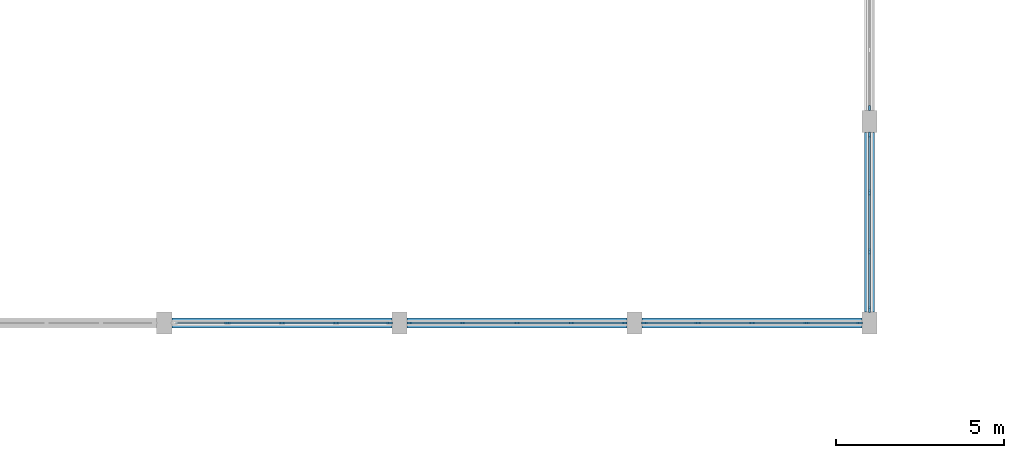
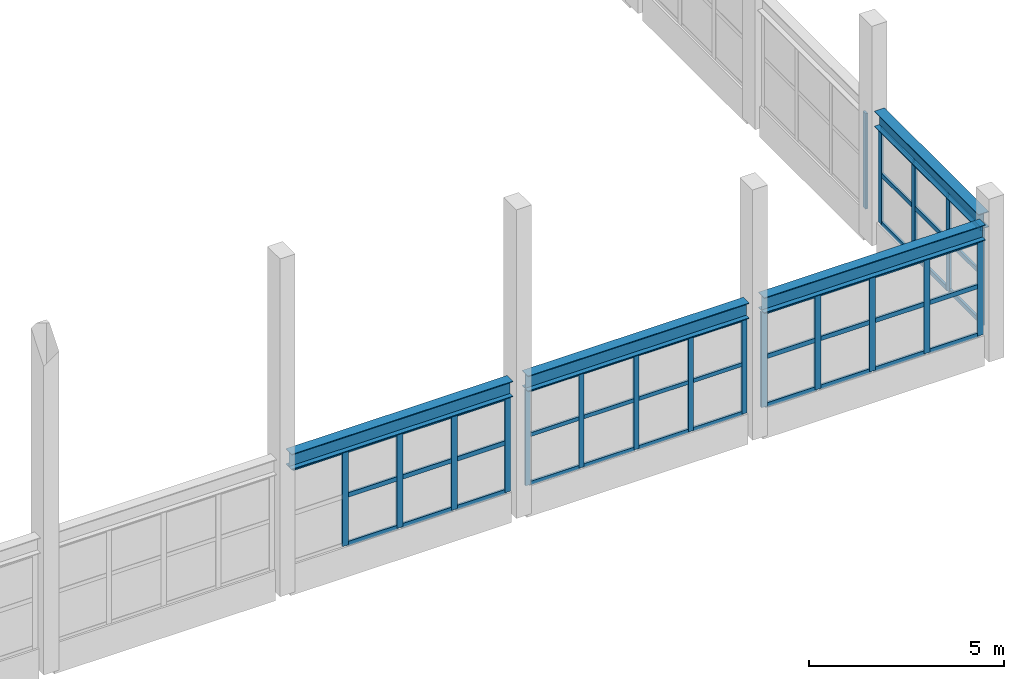
# One storey, part 29 of 89: 62 members, 4 beams, 5 elements without a shape of their own.
"""IFC4 building model written with IfcOpenShell, lengths in metres."""

from ifc_helpers import new_model, si_unit, direction, frame, origin, origin_2d, place, context, subcontext, project, spatial, rectangle, i_section, extrude, material, layer, layer_set, material_profile, profile_set, type_object, element, aggregate, save


model = new_model("IFC4")

# Units and contexts
model_context = context("Model", 3, precision=1e-05, world=origin(), true_north=direction((0.0, 1.0)))
body_context = subcontext(model_context, "Body", "Model", "MODEL_VIEW")
ifc_project = project(units=[si_unit("LENGTHUNIT", "METRE"), si_unit("AREAUNIT", "SQUARE_METRE"), si_unit("VOLUMEUNIT", "CUBIC_METRE"), si_unit("PLANEANGLEUNIT", "RADIAN"), si_unit("MASSUNIT", "GRAM", prefix="KILO")], contexts=[model_context])

# Site, building, storey
site_placement = place(None, origin())
site = spatial("IfcSite", under=ifc_project, at=site_placement, CompositionType="ELEMENT")
building_placement = place(site_placement, origin())
building = spatial("IfcBuilding", under=site, at=building_placement, Name="Tonlespit Floodbar School", CompositionType="ELEMENT")
storey_placement = place(building_placement, frame((0.0, 0.0, 4.5)))
storey = spatial("IfcBuildingStorey", under=building, at=storey_placement, Name="L01", CompositionType="ELEMENT", Elevation=4.5)

# Curtain wall, members
ifc_material_1 = material(Name="Anodised Aluminium", Category="aluminium")
ifc_layer_1 = layer(ifc_material_1, 0.159912109375)
ifc_layer_set_1 = layer_set([ifc_layer_1], Name="Anodised Aluminium")
curtain_wall_type_1 = type_object("IfcCurtainWallType", Name="CurtainWall_6450x3000", PredefinedType="NOTDEFINED", material=ifc_layer_set_1)
curtain_wall_1_placement = place(storey_placement, origin())
curtain_wall_1 = element("IfcCurtainWall", 1, at=curtain_wall_1_placement, inside=storey, type_object=curtain_wall_type_1, Name="L01 unitised curtain wall 0312", PredefinedType="NOTDEFINED")
ifc_material_profile_1 = material_profile(ifc_material_1, rectangle(XDim=0.06494140625, YDim=0.14990234375, at=origin_2d()), Name="ALU M65x150")
ifc_profile_set_1 = profile_set([ifc_material_profile_1], Name="Anodised Aluminium")
member_type_1 = type_object("IfcMemberType", Name="CW_Mullion_65x150", PredefinedType="MULLION", material=ifc_profile_set_1)
member_1_placement = place(storey_placement, frame((168.702392578125, 20.0, 0.68994140625), z_axis=(0.0, 0.0, 1.0), x_axis=(0.0, -1.0, 0.0)))
member_1 = element("IfcMember", 2, at=member_1_placement, type_object=member_type_1, Name="CW-49 mullion 1", PredefinedType="MULLION", context=body_context, shape_type="SweptSolid", body=[
    extrude(rectangle(XDim=0.06494140625, YDim=0.14990234375, at=origin_2d()), origin(), (0.0, 0.0, 1.0), 2.989990234375),
])
member_2_placement = place(storey_placement, frame((167.117431640625, 20.0, 0.68994140625), z_axis=(0.0, 0.0, 1.0), x_axis=(0.0, -1.0, 0.0)))
member_2 = element("IfcMember", 3, at=member_2_placement, type_object=member_type_1, Name="CW-49 mullion 2", PredefinedType="MULLION", context=body_context, shape_type="SweptSolid", body=[
    extrude(rectangle(XDim=0.06494140625, YDim=0.14990234375, at=origin_2d()), origin(), (0.0, 0.0, 1.0), 2.989990234375),
])
member_3_placement = place(storey_placement, frame((165.5, 20.0, 0.68994140625), z_axis=(0.0, 0.0, 1.0), x_axis=(0.0, -1.0, 0.0)))
member_3 = element("IfcMember", 4, at=member_3_placement, type_object=member_type_1, Name="CW-49 mullion 3", PredefinedType="MULLION", context=body_context, shape_type="SweptSolid", body=[
    extrude(rectangle(XDim=0.06494140625, YDim=0.14990234375, at=origin_2d()), origin(), (0.0, 0.0, 1.0), 2.989990234375),
])
member_4_placement = place(storey_placement, frame((163.882568359375, 20.0, 0.68994140625), z_axis=(0.0, 0.0, 1.0), x_axis=(0.0, -1.0, 0.0)))
member_4 = element("IfcMember", 5, at=member_4_placement, type_object=member_type_1, Name="CW-49 mullion 4", PredefinedType="MULLION", context=body_context, shape_type="SweptSolid", body=[
    extrude(rectangle(XDim=0.06494140625, YDim=0.14990234375, at=origin_2d()), origin(), (0.0, 0.0, 1.0), 2.989990234375),
])
member_5_placement = place(storey_placement, frame((162.297607421875, 20.0, 0.68994140625), z_axis=(0.0, 0.0, 1.0), x_axis=(0.0, -1.0, 0.0)))
member_5 = element("IfcMember", 6, at=member_5_placement, type_object=member_type_1, Name="CW-49 mullion 5", PredefinedType="MULLION", context=body_context, shape_type="SweptSolid", body=[
    extrude(rectangle(XDim=0.06494140625, YDim=0.14990234375, at=origin_2d()), origin(), (0.0, 0.0, 1.0), 2.989990234375),
])

# Curtain wall, member
ifc_layer_2 = layer(ifc_material_1, 0.159912109375)
ifc_layer_set_2 = layer_set([ifc_layer_2], Name="Anodised Aluminium")
curtain_wall_type_2 = type_object("IfcCurtainWallType", Name="CurtainWall_5250x3000", PredefinedType="NOTDEFINED", material=ifc_layer_set_2)
curtain_wall_2_placement = place(storey_placement, origin())
curtain_wall_2 = element("IfcCurtainWall", 7, at=curtain_wall_2_placement, inside=storey, type_object=curtain_wall_type_2, Name="L01 unitised curtain wall 0328", PredefinedType="NOTDEFINED")
member_6_placement = place(storey_placement, frame((176.0, 26.3974609375, 0.68994140625), z_axis=(0.0, 0.0, 1.0), x_axis=(1.0, 0.0, 0.0)))
member_6 = element("IfcMember", 8, at=member_6_placement, type_object=member_type_1, Name="CW-50 mullion 4", PredefinedType="MULLION", context=body_context, shape_type="SweptSolid", body=[
    extrude(rectangle(XDim=0.06494140625, YDim=0.14990234375, at=origin_2d()), origin(), (0.0, 0.0, 1.0), 2.989990234375),
])
aggregate(curtain_wall_2, [member_6])

# Curtain wall, members
curtain_wall_3_placement = place(storey_placement, origin())
curtain_wall_3 = element("IfcCurtainWall", 9, at=curtain_wall_3_placement, inside=storey, type_object=curtain_wall_type_1, Name="L01 unitised curtain wall 0311", PredefinedType="NOTDEFINED")
ifc_material_profile_2 = material_profile(ifc_material_1, rectangle(XDim=0.06494140625, YDim=0.179931640625, at=origin_2d()), Name="ALU M65x180")
ifc_profile_set_2 = profile_set([ifc_material_profile_2], Name="Anodised Aluminium")
member_type_2 = type_object("IfcMemberType", Name="CW_Mullion_65x180", PredefinedType="MULLION", material=ifc_profile_set_2)
member_7_placement = place(storey_placement, frame((175.702392578125, 20.0, 0.68994140625), z_axis=(0.0, 0.0, 1.0), x_axis=(0.0, -1.0, 0.0)))
member_7 = element("IfcMember", 10, at=member_7_placement, type_object=member_type_2, Name="CW-49 mullion 1", PredefinedType="MULLION", context=body_context, shape_type="SweptSolid", body=[
    extrude(rectangle(XDim=0.06494140625, YDim=0.179931640625, at=origin_2d()), origin(), (0.0, 0.0, 1.0), 2.989990234375),
])
member_8_placement = place(storey_placement, frame((174.117431640625, 20.0, 0.68994140625), z_axis=(0.0, 0.0, 1.0), x_axis=(0.0, -1.0, 0.0)))
member_8 = element("IfcMember", 11, at=member_8_placement, type_object=member_type_2, Name="CW-49 mullion 2", PredefinedType="MULLION", context=body_context, shape_type="SweptSolid", body=[
    extrude(rectangle(XDim=0.06494140625, YDim=0.179931640625, at=origin_2d()), origin(), (0.0, 0.0, 1.0), 2.989990234375),
])
member_9_placement = place(storey_placement, frame((172.5, 20.0, 0.68994140625), z_axis=(0.0, 0.0, 1.0), x_axis=(0.0, -1.0, 0.0)))
member_9 = element("IfcMember", 12, at=member_9_placement, type_object=member_type_2, Name="CW-49 mullion 3", PredefinedType="MULLION", context=body_context, shape_type="SweptSolid", body=[
    extrude(rectangle(XDim=0.06494140625, YDim=0.179931640625, at=origin_2d()), origin(), (0.0, 0.0, 1.0), 2.989990234375),
])
member_10_placement = place(storey_placement, frame((170.882568359375, 20.0, 0.68994140625), z_axis=(0.0, 0.0, 1.0), x_axis=(0.0, -1.0, 0.0)))
member_10 = element("IfcMember", 13, at=member_10_placement, type_object=member_type_2, Name="CW-49 mullion 4", PredefinedType="MULLION", context=body_context, shape_type="SweptSolid", body=[
    extrude(rectangle(XDim=0.06494140625, YDim=0.179931640625, at=origin_2d()), origin(), (0.0, 0.0, 1.0), 2.989990234375),
])
member_11_placement = place(storey_placement, frame((169.297607421875, 20.0, 0.68994140625), z_axis=(0.0, 0.0, 1.0), x_axis=(0.0, -1.0, 0.0)))
member_11 = element("IfcMember", 14, at=member_11_placement, type_object=member_type_2, Name="CW-49 mullion 5", PredefinedType="MULLION", context=body_context, shape_type="SweptSolid", body=[
    extrude(rectangle(XDim=0.06494140625, YDim=0.179931640625, at=origin_2d()), origin(), (0.0, 0.0, 1.0), 2.989990234375),
])

curtain_wall_4_placement = place(storey_placement, origin())
curtain_wall_4 = element("IfcCurtainWall", 15, at=curtain_wall_4_placement, inside=storey, type_object=curtain_wall_type_1, Name="L01 unitised curtain wall 0313", PredefinedType="NOTDEFINED")
member_12_placement = place(storey_placement, frame((161.702392578125, 20.0, 0.68994140625), z_axis=(0.0, 0.0, 1.0), x_axis=(0.0, -1.0, 0.0)))
member_12 = element("IfcMember", 16, at=member_12_placement, type_object=member_type_2, Name="CW-49 mullion 1", PredefinedType="MULLION", context=body_context, shape_type="SweptSolid", body=[
    extrude(rectangle(XDim=0.06494140625, YDim=0.179931640625, at=origin_2d()), origin(), (0.0, 0.0, 1.0), 2.989990234375),
])
member_13_placement = place(storey_placement, frame((160.117431640625, 20.0, 0.68994140625), z_axis=(0.0, 0.0, 1.0), x_axis=(0.0, -1.0, 0.0)))
member_13 = element("IfcMember", 17, at=member_13_placement, type_object=member_type_2, Name="CW-49 mullion 2", PredefinedType="MULLION", context=body_context, shape_type="SweptSolid", body=[
    extrude(rectangle(XDim=0.06494140625, YDim=0.179931640625, at=origin_2d()), origin(), (0.0, 0.0, 1.0), 2.989990234375),
])
member_14_placement = place(storey_placement, frame((158.5, 20.0, 0.68994140625), z_axis=(0.0, 0.0, 1.0), x_axis=(0.0, -1.0, 0.0)))
member_14 = element("IfcMember", 18, at=member_14_placement, type_object=member_type_2, Name="CW-49 mullion 3", PredefinedType="MULLION", context=body_context, shape_type="SweptSolid", body=[
    extrude(rectangle(XDim=0.06494140625, YDim=0.179931640625, at=origin_2d()), origin(), (0.0, 0.0, 1.0), 2.989990234375),
])
member_15_placement = place(storey_placement, frame((156.882568359375, 20.0, 0.68994140625), z_axis=(0.0, 0.0, 1.0), x_axis=(0.0, -1.0, 0.0)))
member_15 = element("IfcMember", 19, at=member_15_placement, type_object=member_type_2, Name="CW-49 mullion 4", PredefinedType="MULLION", context=body_context, shape_type="SweptSolid", body=[
    extrude(rectangle(XDim=0.06494140625, YDim=0.179931640625, at=origin_2d()), origin(), (0.0, 0.0, 1.0), 2.989990234375),
])

curtain_wall_5_placement = place(storey_placement, origin())
curtain_wall_5 = element("IfcCurtainWall", 20, at=curtain_wall_5_placement, inside=storey, type_object=curtain_wall_type_2, Name="L01 unitised curtain wall 0329", PredefinedType="NOTDEFINED")
member_16_placement = place(storey_placement, frame((176.0, 25.6025390625, 0.68994140625), z_axis=(0.0, 0.0, 1.0), x_axis=(1.0, 0.0, 0.0)))
member_16 = element("IfcMember", 21, at=member_16_placement, type_object=member_type_2, Name="CW-50 mullion 1", PredefinedType="MULLION", context=body_context, shape_type="SweptSolid", body=[
    extrude(rectangle(XDim=0.06494140625, YDim=0.179931640625, at=origin_2d()), origin(), (0.0, 0.0, 1.0), 2.989990234375),
])
member_17_placement = place(storey_placement, frame((176.0, 23.87841796875, 0.68994140625), z_axis=(0.0, 0.0, 1.0), x_axis=(1.0, 0.0, 0.0)))
member_17 = element("IfcMember", 22, at=member_17_placement, type_object=member_type_2, Name="CW-50 mullion 2", PredefinedType="MULLION", context=body_context, shape_type="SweptSolid", body=[
    extrude(rectangle(XDim=0.06494140625, YDim=0.179931640625, at=origin_2d()), origin(), (0.0, 0.0, 1.0), 2.989990234375),
])
member_18_placement = place(storey_placement, frame((176.0, 22.12158203125, 0.68994140625), z_axis=(0.0, 0.0, 1.0), x_axis=(1.0, 0.0, 0.0)))
member_18 = element("IfcMember", 23, at=member_18_placement, type_object=member_type_2, Name="CW-50 mullion 3", PredefinedType="MULLION", context=body_context, shape_type="SweptSolid", body=[
    extrude(rectangle(XDim=0.06494140625, YDim=0.179931640625, at=origin_2d()), origin(), (0.0, 0.0, 1.0), 2.989990234375),
])
member_19_placement = place(storey_placement, frame((176.0, 20.3974609375, 0.68994140625), z_axis=(0.0, 0.0, 1.0), x_axis=(1.0, 0.0, 0.0)))
member_19 = element("IfcMember", 24, at=member_19_placement, type_object=member_type_2, Name="CW-50 mullion 4", PredefinedType="MULLION", context=body_context, shape_type="SweptSolid", body=[
    extrude(rectangle(XDim=0.06494140625, YDim=0.179931640625, at=origin_2d()), origin(), (0.0, 0.0, 1.0), 2.989990234375),
])

# Member
ifc_material_profile_3 = material_profile(ifc_material_1, rectangle(XDim=0.06494140625, YDim=0.1201171875, at=origin_2d()), Name="ALU T65x120")
ifc_profile_set_3 = profile_set([ifc_material_profile_3], Name="Anodised Aluminium")
member_type_3 = type_object("IfcMemberType", Name="CW_Transom_65x120", PredefinedType="USERDEFINED", material=ifc_profile_set_3)
member_20_placement = place(storey_placement, frame((168.669921875, 20.0, 0.722412109375), z_axis=(-1.0, 0.0, 0.0), x_axis=(0.0, -1.0, 0.0)))
member_20 = element("IfcMember", 25, at=member_20_placement, type_object=member_type_3, Name="CW-49 transom 1.1", ObjectType="TRANSOM", PredefinedType="USERDEFINED", context=body_context, shape_type="SweptSolid", body=[
    extrude(rectangle(XDim=0.06494140625, YDim=0.1201171875, at=origin_2d()), origin(), (0.0, 0.0, 1.0), 1.52001953125),
])

member_21_placement = place(storey_placement, frame((168.669921875, 20.0, 2.244873046875), z_axis=(-1.0, 0.0, 0.0), x_axis=(0.0, -1.0, 0.0)))
member_21 = element("IfcMember", 26, at=member_21_placement, type_object=member_type_3, Name="CW-49 transom 1.2", ObjectType="TRANSOM", PredefinedType="USERDEFINED", context=body_context, shape_type="SweptSolid", body=[
    extrude(rectangle(XDim=0.06494140625, YDim=0.1201171875, at=origin_2d()), origin(), (0.0, 0.0, 1.0), 1.52001953125),
])

member_22_placement = place(storey_placement, frame((168.669921875, 20.0, 3.6474609375), z_axis=(-1.0, 0.0, 0.0), x_axis=(0.0, -1.0, 0.0)))
member_22 = element("IfcMember", 27, at=member_22_placement, type_object=member_type_3, Name="CW-49 transom 1.3", ObjectType="TRANSOM", PredefinedType="USERDEFINED", context=body_context, shape_type="SweptSolid", body=[
    extrude(rectangle(XDim=0.06494140625, YDim=0.1201171875, at=origin_2d()), origin(), (0.0, 0.0, 1.0), 1.52001953125),
])

member_23_placement = place(storey_placement, frame((167.0849609375, 20.0, 0.722412109375), z_axis=(-1.0, 0.0, 0.0), x_axis=(0.0, -1.0, 0.0)))
member_23 = element("IfcMember", 28, at=member_23_placement, type_object=member_type_3, Name="CW-49 transom 2.1", ObjectType="TRANSOM", PredefinedType="USERDEFINED", context=body_context, shape_type="SweptSolid", body=[
    extrude(rectangle(XDim=0.06494140625, YDim=0.1201171875, at=origin_2d()), origin(), (0.0, 0.0, 1.0), 1.552490234375),
])

member_24_placement = place(storey_placement, frame((167.0849609375, 20.0, 2.244873046875), z_axis=(-1.0, 0.0, 0.0), x_axis=(0.0, -1.0, 0.0)))
member_24 = element("IfcMember", 29, at=member_24_placement, type_object=member_type_3, Name="CW-49 transom 2.2", ObjectType="TRANSOM", PredefinedType="USERDEFINED", context=body_context, shape_type="SweptSolid", body=[
    extrude(rectangle(XDim=0.06494140625, YDim=0.1201171875, at=origin_2d()), origin(), (0.0, 0.0, 1.0), 1.552490234375),
])

member_25_placement = place(storey_placement, frame((167.0849609375, 20.0, 3.6474609375), z_axis=(-1.0, 0.0, 0.0), x_axis=(0.0, -1.0, 0.0)))
member_25 = element("IfcMember", 30, at=member_25_placement, type_object=member_type_3, Name="CW-49 transom 2.3", ObjectType="TRANSOM", PredefinedType="USERDEFINED", context=body_context, shape_type="SweptSolid", body=[
    extrude(rectangle(XDim=0.06494140625, YDim=0.1201171875, at=origin_2d()), origin(), (0.0, 0.0, 1.0), 1.552490234375),
])

member_26_placement = place(storey_placement, frame((165.467529296875, 20.0, 0.722412109375), z_axis=(-1.0, 0.0, 0.0), x_axis=(0.0, -1.0, 0.0)))
member_26 = element("IfcMember", 31, at=member_26_placement, type_object=member_type_3, Name="CW-49 transom 3.1", ObjectType="TRANSOM", PredefinedType="USERDEFINED", context=body_context, shape_type="SweptSolid", body=[
    extrude(rectangle(XDim=0.06494140625, YDim=0.1201171875, at=origin_2d()), origin(), (0.0, 0.0, 1.0), 1.552490234375),
])

member_27_placement = place(storey_placement, frame((165.467529296875, 20.0, 2.244873046875), z_axis=(-1.0, 0.0, 0.0), x_axis=(0.0, -1.0, 0.0)))
member_27 = element("IfcMember", 32, at=member_27_placement, type_object=member_type_3, Name="CW-49 transom 3.2", ObjectType="TRANSOM", PredefinedType="USERDEFINED", context=body_context, shape_type="SweptSolid", body=[
    extrude(rectangle(XDim=0.06494140625, YDim=0.1201171875, at=origin_2d()), origin(), (0.0, 0.0, 1.0), 1.552490234375),
])

member_28_placement = place(storey_placement, frame((165.467529296875, 20.0, 3.6474609375), z_axis=(-1.0, 0.0, 0.0), x_axis=(0.0, -1.0, 0.0)))
member_28 = element("IfcMember", 33, at=member_28_placement, type_object=member_type_3, Name="CW-49 transom 3.3", ObjectType="TRANSOM", PredefinedType="USERDEFINED", context=body_context, shape_type="SweptSolid", body=[
    extrude(rectangle(XDim=0.06494140625, YDim=0.1201171875, at=origin_2d()), origin(), (0.0, 0.0, 1.0), 1.552490234375),
])

member_29_placement = place(storey_placement, frame((163.85009765625, 20.0, 0.722412109375), z_axis=(-1.0, 0.0, 0.0), x_axis=(0.0, -1.0, 0.0)))
member_29 = element("IfcMember", 34, at=member_29_placement, type_object=member_type_3, Name="CW-49 transom 4.1", ObjectType="TRANSOM", PredefinedType="USERDEFINED", context=body_context, shape_type="SweptSolid", body=[
    extrude(rectangle(XDim=0.06494140625, YDim=0.1201171875, at=origin_2d()), origin(), (0.0, 0.0, 1.0), 1.52001953125),
])

member_30_placement = place(storey_placement, frame((163.85009765625, 20.0, 2.244873046875), z_axis=(-1.0, 0.0, 0.0), x_axis=(0.0, -1.0, 0.0)))
member_30 = element("IfcMember", 35, at=member_30_placement, type_object=member_type_3, Name="CW-49 transom 4.2", ObjectType="TRANSOM", PredefinedType="USERDEFINED", context=body_context, shape_type="SweptSolid", body=[
    extrude(rectangle(XDim=0.06494140625, YDim=0.1201171875, at=origin_2d()), origin(), (0.0, 0.0, 1.0), 1.52001953125),
])

member_31_placement = place(storey_placement, frame((163.85009765625, 20.0, 3.6474609375), z_axis=(-1.0, 0.0, 0.0), x_axis=(0.0, -1.0, 0.0)))
member_31 = element("IfcMember", 36, at=member_31_placement, type_object=member_type_3, Name="CW-49 transom 4.3", ObjectType="TRANSOM", PredefinedType="USERDEFINED", context=body_context, shape_type="SweptSolid", body=[
    extrude(rectangle(XDim=0.06494140625, YDim=0.1201171875, at=origin_2d()), origin(), (0.0, 0.0, 1.0), 1.52001953125),
])

aggregate(curtain_wall_1, [member_1, member_2, member_3, member_4, member_5, member_20, member_21, member_22, member_23, member_24, member_25, member_26, member_27, member_28, member_29, member_30, member_31])

ifc_material_profile_4 = material_profile(ifc_material_1, rectangle(XDim=0.06494140625, YDim=0.139892578125, at=origin_2d()), Name="ALU T65x140")
ifc_profile_set_4 = profile_set([ifc_material_profile_4], Name="Anodised Aluminium")
member_type_4 = type_object("IfcMemberType", Name="CW_Transom_65x140", PredefinedType="USERDEFINED", material=ifc_profile_set_4)
member_32_placement = place(storey_placement, frame((175.669921875, 20.0, 0.722412109375), z_axis=(-1.0, 0.0, 0.0), x_axis=(0.0, -1.0, 0.0)))
member_32 = element("IfcMember", 37, at=member_32_placement, type_object=member_type_4, Name="CW-49 transom 1.1", ObjectType="TRANSOM", PredefinedType="USERDEFINED", context=body_context, shape_type="SweptSolid", body=[
    extrude(rectangle(XDim=0.06494140625, YDim=0.139892578125, at=origin_2d()), origin(), (0.0, 0.0, 1.0), 1.52001953125),
])

member_33_placement = place(storey_placement, frame((175.669921875, 20.0, 2.244873046875), z_axis=(-1.0, 0.0, 0.0), x_axis=(0.0, -1.0, 0.0)))
member_33 = element("IfcMember", 38, at=member_33_placement, type_object=member_type_4, Name="CW-49 transom 1.2", ObjectType="TRANSOM", PredefinedType="USERDEFINED", context=body_context, shape_type="SweptSolid", body=[
    extrude(rectangle(XDim=0.06494140625, YDim=0.139892578125, at=origin_2d()), origin(), (0.0, 0.0, 1.0), 1.52001953125),
])

member_34_placement = place(storey_placement, frame((175.669921875, 20.0, 3.6474609375), z_axis=(-1.0, 0.0, 0.0), x_axis=(0.0, -1.0, 0.0)))
member_34 = element("IfcMember", 39, at=member_34_placement, type_object=member_type_4, Name="CW-49 transom 1.3", ObjectType="TRANSOM", PredefinedType="USERDEFINED", context=body_context, shape_type="SweptSolid", body=[
    extrude(rectangle(XDim=0.06494140625, YDim=0.139892578125, at=origin_2d()), origin(), (0.0, 0.0, 1.0), 1.52001953125),
])

member_35_placement = place(storey_placement, frame((174.0849609375, 20.0, 0.722412109375), z_axis=(-1.0, 0.0, 0.0), x_axis=(0.0, -1.0, 0.0)))
member_35 = element("IfcMember", 40, at=member_35_placement, type_object=member_type_4, Name="CW-49 transom 2.1", ObjectType="TRANSOM", PredefinedType="USERDEFINED", context=body_context, shape_type="SweptSolid", body=[
    extrude(rectangle(XDim=0.06494140625, YDim=0.139892578125, at=origin_2d()), origin(), (0.0, 0.0, 1.0), 1.552490234375),
])

member_36_placement = place(storey_placement, frame((174.0849609375, 20.0, 2.244873046875), z_axis=(-1.0, 0.0, 0.0), x_axis=(0.0, -1.0, 0.0)))
member_36 = element("IfcMember", 41, at=member_36_placement, type_object=member_type_4, Name="CW-49 transom 2.2", ObjectType="TRANSOM", PredefinedType="USERDEFINED", context=body_context, shape_type="SweptSolid", body=[
    extrude(rectangle(XDim=0.06494140625, YDim=0.139892578125, at=origin_2d()), origin(), (0.0, 0.0, 1.0), 1.552490234375),
])

member_37_placement = place(storey_placement, frame((174.0849609375, 20.0, 3.6474609375), z_axis=(-1.0, 0.0, 0.0), x_axis=(0.0, -1.0, 0.0)))
member_37 = element("IfcMember", 42, at=member_37_placement, type_object=member_type_4, Name="CW-49 transom 2.3", ObjectType="TRANSOM", PredefinedType="USERDEFINED", context=body_context, shape_type="SweptSolid", body=[
    extrude(rectangle(XDim=0.06494140625, YDim=0.139892578125, at=origin_2d()), origin(), (0.0, 0.0, 1.0), 1.552490234375),
])

member_38_placement = place(storey_placement, frame((172.467529296875, 20.0, 0.722412109375), z_axis=(-1.0, 0.0, 0.0), x_axis=(0.0, -1.0, 0.0)))
member_38 = element("IfcMember", 43, at=member_38_placement, type_object=member_type_4, Name="CW-49 transom 3.1", ObjectType="TRANSOM", PredefinedType="USERDEFINED", context=body_context, shape_type="SweptSolid", body=[
    extrude(rectangle(XDim=0.06494140625, YDim=0.139892578125, at=origin_2d()), origin(), (0.0, 0.0, 1.0), 1.552490234375),
])

member_39_placement = place(storey_placement, frame((172.467529296875, 20.0, 2.244873046875), z_axis=(-1.0, 0.0, 0.0), x_axis=(0.0, -1.0, 0.0)))
member_39 = element("IfcMember", 44, at=member_39_placement, type_object=member_type_4, Name="CW-49 transom 3.2", ObjectType="TRANSOM", PredefinedType="USERDEFINED", context=body_context, shape_type="SweptSolid", body=[
    extrude(rectangle(XDim=0.06494140625, YDim=0.139892578125, at=origin_2d()), origin(), (0.0, 0.0, 1.0), 1.552490234375),
])

member_40_placement = place(storey_placement, frame((172.467529296875, 20.0, 3.6474609375), z_axis=(-1.0, 0.0, 0.0), x_axis=(0.0, -1.0, 0.0)))
member_40 = element("IfcMember", 45, at=member_40_placement, type_object=member_type_4, Name="CW-49 transom 3.3", ObjectType="TRANSOM", PredefinedType="USERDEFINED", context=body_context, shape_type="SweptSolid", body=[
    extrude(rectangle(XDim=0.06494140625, YDim=0.139892578125, at=origin_2d()), origin(), (0.0, 0.0, 1.0), 1.552490234375),
])

member_41_placement = place(storey_placement, frame((170.85009765625, 20.0, 0.722412109375), z_axis=(-1.0, 0.0, 0.0), x_axis=(0.0, -1.0, 0.0)))
member_41 = element("IfcMember", 46, at=member_41_placement, type_object=member_type_4, Name="CW-49 transom 4.1", ObjectType="TRANSOM", PredefinedType="USERDEFINED", context=body_context, shape_type="SweptSolid", body=[
    extrude(rectangle(XDim=0.06494140625, YDim=0.139892578125, at=origin_2d()), origin(), (0.0, 0.0, 1.0), 1.52001953125),
])

member_42_placement = place(storey_placement, frame((170.85009765625, 20.0, 2.244873046875), z_axis=(-1.0, 0.0, 0.0), x_axis=(0.0, -1.0, 0.0)))
member_42 = element("IfcMember", 47, at=member_42_placement, type_object=member_type_4, Name="CW-49 transom 4.2", ObjectType="TRANSOM", PredefinedType="USERDEFINED", context=body_context, shape_type="SweptSolid", body=[
    extrude(rectangle(XDim=0.06494140625, YDim=0.139892578125, at=origin_2d()), origin(), (0.0, 0.0, 1.0), 1.52001953125),
])

member_43_placement = place(storey_placement, frame((170.85009765625, 20.0, 3.6474609375), z_axis=(-1.0, 0.0, 0.0), x_axis=(0.0, -1.0, 0.0)))
member_43 = element("IfcMember", 48, at=member_43_placement, type_object=member_type_4, Name="CW-49 transom 4.3", ObjectType="TRANSOM", PredefinedType="USERDEFINED", context=body_context, shape_type="SweptSolid", body=[
    extrude(rectangle(XDim=0.06494140625, YDim=0.139892578125, at=origin_2d()), origin(), (0.0, 0.0, 1.0), 1.52001953125),
])

aggregate(curtain_wall_3, [member_7, member_8, member_9, member_10, member_11, member_32, member_33, member_34, member_35, member_36, member_37, member_38, member_39, member_40, member_41, member_42, member_43])

member_44_placement = place(storey_placement, frame((161.669921875, 20.0, 0.722412109375), z_axis=(-1.0, 0.0, 0.0), x_axis=(0.0, -1.0, 0.0)))
member_44 = element("IfcMember", 49, at=member_44_placement, type_object=member_type_4, Name="CW-49 transom 1.1", ObjectType="TRANSOM", PredefinedType="USERDEFINED", context=body_context, shape_type="SweptSolid", body=[
    extrude(rectangle(XDim=0.06494140625, YDim=0.139892578125, at=origin_2d()), origin(), (0.0, 0.0, 1.0), 1.52001953125),
])

member_45_placement = place(storey_placement, frame((161.669921875, 20.0, 2.244873046875), z_axis=(-1.0, 0.0, 0.0), x_axis=(0.0, -1.0, 0.0)))
member_45 = element("IfcMember", 50, at=member_45_placement, type_object=member_type_4, Name="CW-49 transom 1.2", ObjectType="TRANSOM", PredefinedType="USERDEFINED", context=body_context, shape_type="SweptSolid", body=[
    extrude(rectangle(XDim=0.06494140625, YDim=0.139892578125, at=origin_2d()), origin(), (0.0, 0.0, 1.0), 1.52001953125),
])

member_46_placement = place(storey_placement, frame((161.669921875, 20.0, 3.6474609375), z_axis=(-1.0, 0.0, 0.0), x_axis=(0.0, -1.0, 0.0)))
member_46 = element("IfcMember", 51, at=member_46_placement, type_object=member_type_4, Name="CW-49 transom 1.3", ObjectType="TRANSOM", PredefinedType="USERDEFINED", context=body_context, shape_type="SweptSolid", body=[
    extrude(rectangle(XDim=0.06494140625, YDim=0.139892578125, at=origin_2d()), origin(), (0.0, 0.0, 1.0), 1.52001953125),
])

member_47_placement = place(storey_placement, frame((160.0849609375, 20.0, 0.722412109375), z_axis=(-1.0, 0.0, 0.0), x_axis=(0.0, -1.0, 0.0)))
member_47 = element("IfcMember", 52, at=member_47_placement, type_object=member_type_4, Name="CW-49 transom 2.1", ObjectType="TRANSOM", PredefinedType="USERDEFINED", context=body_context, shape_type="SweptSolid", body=[
    extrude(rectangle(XDim=0.06494140625, YDim=0.139892578125, at=origin_2d()), origin(), (0.0, 0.0, 1.0), 1.552490234375),
])

member_48_placement = place(storey_placement, frame((160.0849609375, 20.0, 2.244873046875), z_axis=(-1.0, 0.0, 0.0), x_axis=(0.0, -1.0, 0.0)))
member_48 = element("IfcMember", 53, at=member_48_placement, type_object=member_type_4, Name="CW-49 transom 2.2", ObjectType="TRANSOM", PredefinedType="USERDEFINED", context=body_context, shape_type="SweptSolid", body=[
    extrude(rectangle(XDim=0.06494140625, YDim=0.139892578125, at=origin_2d()), origin(), (0.0, 0.0, 1.0), 1.552490234375),
])

member_49_placement = place(storey_placement, frame((160.0849609375, 20.0, 3.6474609375), z_axis=(-1.0, 0.0, 0.0), x_axis=(0.0, -1.0, 0.0)))
member_49 = element("IfcMember", 54, at=member_49_placement, type_object=member_type_4, Name="CW-49 transom 2.3", ObjectType="TRANSOM", PredefinedType="USERDEFINED", context=body_context, shape_type="SweptSolid", body=[
    extrude(rectangle(XDim=0.06494140625, YDim=0.139892578125, at=origin_2d()), origin(), (0.0, 0.0, 1.0), 1.552490234375),
])

member_50_placement = place(storey_placement, frame((158.467529296875, 20.0, 0.722412109375), z_axis=(-1.0, 0.0, 0.0), x_axis=(0.0, -1.0, 0.0)))
member_50 = element("IfcMember", 55, at=member_50_placement, type_object=member_type_4, Name="CW-49 transom 3.1", ObjectType="TRANSOM", PredefinedType="USERDEFINED", context=body_context, shape_type="SweptSolid", body=[
    extrude(rectangle(XDim=0.06494140625, YDim=0.139892578125, at=origin_2d()), origin(), (0.0, 0.0, 1.0), 1.552490234375),
])

member_51_placement = place(storey_placement, frame((158.467529296875, 20.0, 2.244873046875), z_axis=(-1.0, 0.0, 0.0), x_axis=(0.0, -1.0, 0.0)))
member_51 = element("IfcMember", 56, at=member_51_placement, type_object=member_type_4, Name="CW-49 transom 3.2", ObjectType="TRANSOM", PredefinedType="USERDEFINED", context=body_context, shape_type="SweptSolid", body=[
    extrude(rectangle(XDim=0.06494140625, YDim=0.139892578125, at=origin_2d()), origin(), (0.0, 0.0, 1.0), 1.552490234375),
])

member_52_placement = place(storey_placement, frame((158.467529296875, 20.0, 3.6474609375), z_axis=(-1.0, 0.0, 0.0), x_axis=(0.0, -1.0, 0.0)))
member_52 = element("IfcMember", 57, at=member_52_placement, type_object=member_type_4, Name="CW-49 transom 3.3", ObjectType="TRANSOM", PredefinedType="USERDEFINED", context=body_context, shape_type="SweptSolid", body=[
    extrude(rectangle(XDim=0.06494140625, YDim=0.139892578125, at=origin_2d()), origin(), (0.0, 0.0, 1.0), 1.552490234375),
])

member_53_placement = place(storey_placement, frame((156.85009765625, 20.0, 3.6474609375), z_axis=(-1.0, 0.0, 0.0), x_axis=(0.0, -1.0, 0.0)))
member_53 = element("IfcMember", 58, at=member_53_placement, type_object=member_type_4, Name="CW-49 transom 4.3", ObjectType="TRANSOM", PredefinedType="USERDEFINED", context=body_context, shape_type="SweptSolid", body=[
    extrude(rectangle(XDim=0.06494140625, YDim=0.139892578125, at=origin_2d()), origin(), (0.0, 0.0, 1.0), 1.52001953125),
])

aggregate(curtain_wall_4, [member_12, member_13, member_14, member_15, member_44, member_45, member_46, member_47, member_48, member_49, member_50, member_51, member_52, member_53])

member_54_placement = place(storey_placement, frame((176.0, 25.570068359375, 0.722412109375), z_axis=(0.0, -1.0, 0.0), x_axis=(1.0, 0.0, 0.0)))
member_54 = element("IfcMember", 59, at=member_54_placement, type_object=member_type_4, Name="CW-50 transom 1.1", ObjectType="TRANSOM", PredefinedType="USERDEFINED", context=body_context, shape_type="SweptSolid", body=[
    extrude(rectangle(XDim=0.06494140625, YDim=0.139892578125, at=origin_2d()), origin(), (0.0, 0.0, 1.0), 1.6591796875),
])

member_55_placement = place(storey_placement, frame((176.0, 25.570068359375, 2.244873046875), z_axis=(0.0, -1.0, 0.0), x_axis=(1.0, 0.0, 0.0)))
member_55 = element("IfcMember", 60, at=member_55_placement, type_object=member_type_4, Name="CW-50 transom 1.2", ObjectType="TRANSOM", PredefinedType="USERDEFINED", context=body_context, shape_type="SweptSolid", body=[
    extrude(rectangle(XDim=0.06494140625, YDim=0.139892578125, at=origin_2d()), origin(), (0.0, 0.0, 1.0), 1.6591796875),
])

member_56_placement = place(storey_placement, frame((176.0, 25.570068359375, 3.6474609375), z_axis=(0.0, -1.0, 0.0), x_axis=(1.0, 0.0, 0.0)))
member_56 = element("IfcMember", 61, at=member_56_placement, type_object=member_type_4, Name="CW-50 transom 1.3", ObjectType="TRANSOM", PredefinedType="USERDEFINED", context=body_context, shape_type="SweptSolid", body=[
    extrude(rectangle(XDim=0.06494140625, YDim=0.139892578125, at=origin_2d()), origin(), (0.0, 0.0, 1.0), 1.6591796875),
])

member_57_placement = place(storey_placement, frame((176.0, 23.845947265625, 0.722412109375), z_axis=(0.0, -1.0, 0.0), x_axis=(1.0, 0.0, 0.0)))
member_57 = element("IfcMember", 62, at=member_57_placement, type_object=member_type_4, Name="CW-50 transom 2.1", ObjectType="TRANSOM", PredefinedType="USERDEFINED", context=body_context, shape_type="SweptSolid", body=[
    extrude(rectangle(XDim=0.06494140625, YDim=0.139892578125, at=origin_2d()), origin(), (0.0, 0.0, 1.0), 1.69189453125),
])

member_58_placement = place(storey_placement, frame((176.0, 23.845947265625, 2.244873046875), z_axis=(0.0, -1.0, 0.0), x_axis=(1.0, 0.0, 0.0)))
member_58 = element("IfcMember", 63, at=member_58_placement, type_object=member_type_4, Name="CW-50 transom 2.2", ObjectType="TRANSOM", PredefinedType="USERDEFINED", context=body_context, shape_type="SweptSolid", body=[
    extrude(rectangle(XDim=0.06494140625, YDim=0.139892578125, at=origin_2d()), origin(), (0.0, 0.0, 1.0), 1.69189453125),
])

member_59_placement = place(storey_placement, frame((176.0, 23.845947265625, 3.6474609375), z_axis=(0.0, -1.0, 0.0), x_axis=(1.0, 0.0, 0.0)))
member_59 = element("IfcMember", 64, at=member_59_placement, type_object=member_type_4, Name="CW-50 transom 2.3", ObjectType="TRANSOM", PredefinedType="USERDEFINED", context=body_context, shape_type="SweptSolid", body=[
    extrude(rectangle(XDim=0.06494140625, YDim=0.139892578125, at=origin_2d()), origin(), (0.0, 0.0, 1.0), 1.69189453125),
])

member_60_placement = place(storey_placement, frame((176.0, 22.089111328125, 0.722412109375), z_axis=(0.0, -1.0, 0.0), x_axis=(1.0, 0.0, 0.0)))
member_60 = element("IfcMember", 65, at=member_60_placement, type_object=member_type_4, Name="CW-50 transom 3.1", ObjectType="TRANSOM", PredefinedType="USERDEFINED", context=body_context, shape_type="SweptSolid", body=[
    extrude(rectangle(XDim=0.06494140625, YDim=0.139892578125, at=origin_2d()), origin(), (0.0, 0.0, 1.0), 1.6591796875),
])

member_61_placement = place(storey_placement, frame((176.0, 22.089111328125, 2.244873046875), z_axis=(0.0, -1.0, 0.0), x_axis=(1.0, 0.0, 0.0)))
member_61 = element("IfcMember", 66, at=member_61_placement, type_object=member_type_4, Name="CW-50 transom 3.2", ObjectType="TRANSOM", PredefinedType="USERDEFINED", context=body_context, shape_type="SweptSolid", body=[
    extrude(rectangle(XDim=0.06494140625, YDim=0.139892578125, at=origin_2d()), origin(), (0.0, 0.0, 1.0), 1.6591796875),
])

member_62_placement = place(storey_placement, frame((176.0, 22.089111328125, 3.6474609375), z_axis=(0.0, -1.0, 0.0), x_axis=(1.0, 0.0, 0.0)))
member_62 = element("IfcMember", 67, at=member_62_placement, type_object=member_type_4, Name="CW-50 transom 3.3", ObjectType="TRANSOM", PredefinedType="USERDEFINED", context=body_context, shape_type="SweptSolid", body=[
    extrude(rectangle(XDim=0.06494140625, YDim=0.139892578125, at=origin_2d()), origin(), (0.0, 0.0, 1.0), 1.6591796875),
])

aggregate(curtain_wall_5, [member_16, member_17, member_18, member_19, member_54, member_55, member_56, member_57, member_58, member_59, member_60, member_61, member_62])

# Beams
ifc_material_2 = material(Name="Steel S355", Category="steel")
ifc_material_profile_5 = material_profile(ifc_material_2, i_section(OverallWidth=0.300048828125, OverallDepth=0.489990234375, WebThickness=0.011962890625, FlangeThickness=0.02294921875, at=origin_2d()), Name="HEA 500")
ifc_profile_set_5 = profile_set([ifc_material_profile_5], Name="Steel S355")
beam_type = type_object("IfcBeamType", Name="RingBeam_STL_HEA500", PredefinedType="BEAM", material=ifc_profile_set_5)
for number, where, z_axis, x_axis, name in (
    (68, (155.22509765625, 20.0, 3.955078125), (1.0, 0.0, 0.0), (0.0, 1.0, 0.0), "Gridshell perimeter ring girder Y=20 bay 5"),
    (69, (162.22509765625, 20.0, 3.955078125), (1.0, 0.0, 0.0), (0.0, 1.0, 0.0), "Gridshell perimeter ring girder Y=20 bay 6"),
    (70, (169.22509765625, 20.0, 3.955078125), (1.0, 0.0, 0.0), (0.0, 1.0, 0.0), "Gridshell perimeter ring girder Y=20 bay 7"),
):
    element("IfcBeam", number, at=place(storey_placement, frame(where, z_axis=z_axis, x_axis=x_axis)), inside=storey, type_object=beam_type, Name=name, PredefinedType="BEAM", context=body_context, shape_type="SweptSolid", body=[
        extrude(i_section(OverallWidth=0.300048828125, OverallDepth=0.489990234375, WebThickness=0.011962890625, FlangeThickness=0.02294921875, at=origin_2d()), origin(), (0.0, 0.0, 1.0), 6.5498046875),
    ])
beam_placement = place(storey_placement, frame((176.0, 20.324951171875, 3.955078125), z_axis=(0.0, 1.0, 0.0), x_axis=(-1.0, 0.0, 0.0)))
element("IfcBeam", 71, at=beam_placement, inside=storey, type_object=beam_type, Name="Gridshell perimeter ring girder X=176 bay 1", PredefinedType="BEAM", context=body_context, shape_type="SweptSolid", body=[
    extrude(i_section(OverallWidth=0.300048828125, OverallDepth=0.489990234375, WebThickness=0.011962890625, FlangeThickness=0.02294921875, at=origin_2d()), origin(), (0.0, 0.0, 1.0), 5.35009765625),
])

save(model, "model.ifc")
